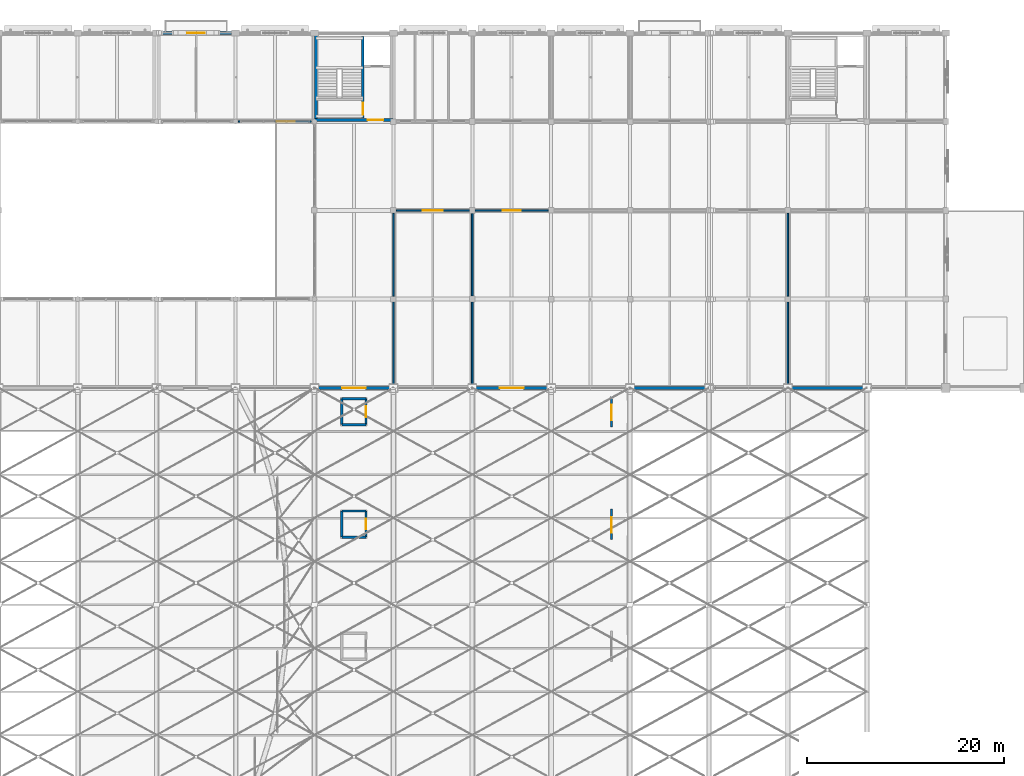
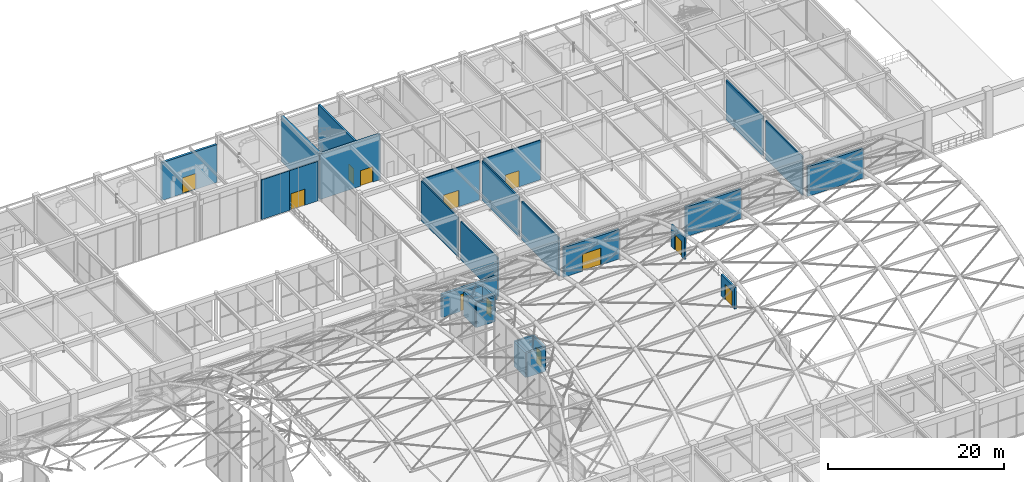
# One storey, part 131 of 163: 28 walls, 12 doors, 12 openings.
"""IFC4 building model written with IfcOpenShell, lengths in metres."""

import ifcopenshell
import ifcopenshell.guid

model = None  # the IFC model being written
_history = None  # IfcOwnerHistory: only IFC2X3 demands one
_inside = {}  # id of a spatial element -> (the spatial element, [elements in it])
_under = {}  # id of a project, library or spatial element -> (it, [spatial elements below it])
_declared = {}  # id of a project -> (the project, [libraries it declares])
_typed = {}  # id of a type object -> (the type object, [elements of that type])
_made_of = {}  # id of a material, layer set ... -> (it, [elements and type objects made of it])


def new_model(schema):
    """Start an empty IFC model of exactly this schema.

    Asked for "IFC4X3", IfcOpenShell would pick the latest addendum, in which some entities
    have other attributes; the version numbers below select the first issue.
    IFC2X3 requires an IfcOwnerHistory on every rooted entity: one is made here for all.
    """
    global model, _history
    if schema == "IFC4X3":
        model = ifcopenshell.file(schema_version=(4, 3, 0, 0))
    else:
        model = ifcopenshell.file(schema=schema)
    _inside.clear()
    _under.clear()
    _declared.clear()
    _typed.clear()
    _made_of.clear()
    _history = None
    if model.schema == "IFC2X3":
        org = make("IfcOrganization", Name="unknown")
        user = make(
            "IfcPersonAndOrganization",
            ThePerson=make("IfcPerson", FamilyName="unknown"),
            TheOrganization=org,
        )
        app = make(
            "IfcApplication",
            ApplicationDeveloper=org,
            Version="unknown",
            ApplicationFullName="unknown",
            ApplicationIdentifier="unknown",
        )
        _history = make(
            "IfcOwnerHistory",
            OwningUser=user,
            OwningApplication=app,
            ChangeAction="ADDED",
            CreationDate=0,
        )
    return model


def make(cls, **values):
    """One entity of the class cls with the attributes given. An attribute that is None is left unset."""
    return model.create_entity(
        cls, **{name: value for name, value in values.items() if value is not None}
    )


def rooted(cls, **values):
    """An entity with a GlobalId (a new one), such as an element, a storey or a relation."""
    return make(cls, GlobalId=ifcopenshell.guid.new(), OwnerHistory=_history, **values)


def si_unit(unit_type, name, prefix=None):
    """IfcSIUnit, for example si_unit("LENGTHUNIT", "METRE", prefix="MILLI")."""
    return make("IfcSIUnit", UnitType=unit_type, Prefix=prefix, Name=name)


def assignment(units):
    """IfcUnitAssignment: the units of a project."""
    return None if units is None else make("IfcUnitAssignment", Units=units)


def point(xyz):
    """IfcCartesianPoint."""
    return None if xyz is None else make("IfcCartesianPoint", Coordinates=xyz)


def direction(xyz):
    """IfcDirection."""
    return None if xyz is None else make("IfcDirection", DirectionRatios=xyz)


def frame(location, z_axis=None, x_axis=None):
    """IfcAxis2Placement3D, a coordinate frame: its origin and axes. An axis left out is left unset."""
    return make(
        "IfcAxis2Placement3D",
        Location=point(location),
        Axis=direction(z_axis),
        RefDirection=direction(x_axis),
    )


def frame_2d(location, x_axis=None):
    """IfcAxis2Placement2D, a coordinate frame in the plane: its origin and x axis."""
    return make(
        "IfcAxis2Placement2D", Location=point(location), RefDirection=direction(x_axis)
    )


def origin():
    """The frame at (0, 0, 0) with its axes left unset."""
    return frame((0.0, 0.0, 0.0))


def place(relative_to, where):
    """IfcLocalPlacement: puts the frame where relative to a parent placement (None: the world)."""
    return make(
        "IfcLocalPlacement", PlacementRelTo=relative_to, RelativePlacement=where
    )


def context(
    kind, dimensions, precision=None, world=None, true_north=None, identifier=None
):
    """IfcGeometricRepresentationContext, for example the 3D "Model" context."""
    return make(
        "IfcGeometricRepresentationContext",
        ContextIdentifier=identifier,
        ContextType=kind,
        CoordinateSpaceDimension=dimensions,
        Precision=precision,
        WorldCoordinateSystem=world,
        TrueNorth=true_north,
    )


def subcontext(parent, identifier, kind, view, scale=None):
    """IfcGeometricRepresentationSubContext, for example "Body" below "Model"."""
    return make(
        "IfcGeometricRepresentationSubContext",
        ContextIdentifier=identifier,
        ContextType=kind,
        ParentContext=parent,
        TargetScale=scale,
        TargetView=view,
    )


def project(units=None, contexts=None):
    """IfcProject with its units and contexts."""
    return rooted(
        "IfcProject",
        Name="project",
        RepresentationContexts=contexts,
        UnitsInContext=assignment(units),
    )


def spatial(cls, under=None, at=None, **own):
    """A site, building, storey or space (cls), placed at a placement, below another one or the project."""
    s = rooted(cls, ObjectPlacement=at, **own)
    if under is not None:
        _under.setdefault(under.id(), (under, []))[1].append(s)
    return s


def profile(cls, at=None, kind="AREA", **sizes):
    """A parametric profile (cls). Its sizes go by their IFC names, for example OverallWidth=200.0."""
    return make(cls, ProfileType=kind, Position=at, **sizes)


def rectangle(**sizes):
    """IfcRectangleProfileDef."""
    return profile("IfcRectangleProfileDef", **sizes)


def extrude(swept, where, along, depth):
    """IfcExtrudedAreaSolid: the profile swept, set in the frame where, extruded along a direction by depth."""
    return make(
        "IfcExtrudedAreaSolid",
        SweptArea=swept,
        Position=where,
        ExtrudedDirection=direction(along),
        Depth=depth,
    )


def shape(context_of_items, identifier, shape_type, items):
    """IfcShapeRepresentation: the items that make up one representation, for example the "Body"."""
    return make(
        "IfcShapeRepresentation",
        ContextOfItems=context_of_items,
        RepresentationIdentifier=identifier,
        RepresentationType=shape_type,
        Items=items,
    )


def material(Name=None, Category=None):
    """IfcMaterial."""
    return make("IfcMaterial", Name=Name, Category=Category)


def layer(
    of_material, thickness, ventilated=None, Name=None, Category=None, Priority=None
):
    """IfcMaterialLayer: one layer of a wall or slab, of a material (None: an air gap)."""
    return make(
        "IfcMaterialLayer",
        Material=of_material,
        LayerThickness=thickness,
        IsVentilated=ventilated,
        Name=Name,
        Category=Category,
        Priority=Priority,
    )


def layer_set(layers, Name=None):
    """IfcMaterialLayerSet."""
    return make("IfcMaterialLayerSet", MaterialLayers=layers, LayerSetName=Name)


def made_of(thing, what):
    """Note that an element or type object is made of a material, layer set ...; save() writes the relation."""
    if what is not None:
        _made_of.setdefault(what.id(), (what, []))[1].append(thing)
    return thing


def type_object(cls, material=None, **own):
    """A type object (cls), such as IfcWallType, which elements share."""
    return made_of(rooted(cls, **own), material)


def element(
    cls,
    number,
    at=None,
    inside=None,
    cuts=None,
    type_object=None,
    material=None,
    context=None,
    identifier="Body",
    shape_type=None,
    held_by="IfcProductDefinitionShape",
    body=None,
    shapes=None,
    **own,
):
    """One element of the class cls, such as IfcWall. Its Tag is "e" and its number.

    at: its placement. inside: the storey or other place that contains it. cuts: it is an
    opening in that element (IfcRelVoidsElement). A single representation is given by context,
    identifier, shape_type and body (its items); several are given by shapes. held_by: the class
    of the entity that holds the representations. save() writes the other relations.
    """
    e = rooted(cls, Tag="e%d" % number, ObjectPlacement=at, **own)
    if body is not None:
        shapes = [shape(context, identifier, shape_type, body)]
    if shapes is not None:
        e.Representation = make(held_by, Representations=shapes)
    if inside is not None:
        _inside.setdefault(inside.id(), (inside, []))[1].append(e)
    if cuts is not None:
        rooted(
            "IfcRelVoidsElement", RelatingBuildingElement=cuts, RelatedOpeningElement=e
        )
    if type_object is not None:
        _typed.setdefault(type_object.id(), (type_object, []))[1].append(e)
    return made_of(e, material)


def fill(opening, filler):
    """IfcRelFillsElement: the door or window that sits in an opening."""
    return rooted(
        "IfcRelFillsElement",
        RelatingOpeningElement=opening,
        RelatedBuildingElement=filler,
    )


def aggregate(whole, parts):
    """IfcRelAggregates: a whole, such as a stair, and the parts it consists of."""
    return rooted("IfcRelAggregates", RelatingObject=whole, RelatedObjects=parts)


def save(model, path):
    """Write the relations noted so far, then the file.

    IfcRelAggregates (storeys below a building ...), IfcRelContainedInSpatialStructure (elements
    in a storey), IfcRelDefinesByType, IfcRelAssociatesMaterial and IfcRelDeclares: one each for
    every whole, place, type object, material and project.
    """
    for whole, parts in _under.values():
        aggregate(whole, parts)
    for where, things in _inside.values():
        rooted(
            "IfcRelContainedInSpatialStructure",
            RelatedElements=things,
            RelatingStructure=where,
        )
    for kind, things in _typed.values():
        rooted("IfcRelDefinesByType", RelatedObjects=things, RelatingType=kind)
    for what, things in _made_of.values():
        rooted("IfcRelAssociatesMaterial", RelatedObjects=things, RelatingMaterial=what)
    for by, libraries in _declared.values():
        rooted("IfcRelDeclares", RelatingContext=by, RelatedDefinitions=libraries)
    model.write(path)


model = new_model("IFC4")

# Units and contexts
model_context = context("Model", 3, precision=1e-05, world=origin(), true_north=direction((0.0, 1.0)))
body_context = subcontext(model_context, "Body", "Model", "MODEL_VIEW")
ifc_project = project(units=[si_unit("LENGTHUNIT", "METRE"), si_unit("AREAUNIT", "SQUARE_METRE"), si_unit("VOLUMEUNIT", "CUBIC_METRE"), si_unit("PLANEANGLEUNIT", "RADIAN"), si_unit("MASSUNIT", "GRAM", prefix="KILO")], contexts=[model_context])

# Site, building, storey
site_placement = place(None, origin())
site = spatial("IfcSite", under=ifc_project, at=site_placement, CompositionType="ELEMENT")
building_placement = place(site_placement, origin())
building = spatial("IfcBuilding", under=site, at=building_placement, Name="Varnabhumi Central Station", CompositionType="ELEMENT")
storey_placement = place(building_placement, frame((0.0, 0.0, 9.60009765625)))
storey = spatial("IfcBuildingStorey", under=building, at=storey_placement, Name="L02", CompositionType="ELEMENT", Elevation=9.60009765625)

# Wall, opening, door
ifc_material_1 = material(Name="Autoclaved aerated blockwork masonry", Category="masonry")
ifc_layer_1 = layer(ifc_material_1, 0.219970703125, Name="Autoclaved aerated blockwork masonry", Category="masonry")
ifc_layer_set_1 = layer_set([ifc_layer_1], Name="Autoclaved aerated blockwork masonry")
wall_type_1 = type_object("IfcWallType", Name="WAL-COMP-AAC-220", PredefinedType="SOLIDWALL", material=ifc_layer_set_1)
wall_1_placement = place(storey_placement, frame((110.10009765625, 64.64990234375, 0.0), z_axis=(0.0, 0.0, 1.0), x_axis=(0.0, 1.0, 0.0)))
wall_1 = element("IfcWall", 1, at=wall_1_placement, inside=storey, type_object=wall_type_1, Name="Platform 3 Concourse Stair Vestibule Wall", PredefinedType="SOLIDWALL", context=body_context, shape_type="SweptSolid", body=[
    extrude(rectangle(XDim=3.10009765625, YDim=0.219970703125, at=frame_2d((1.550048828125, 0.0))), origin(), (0.0, 0.0, 1.0), 3.0),
])
opening_1_placement = place(wall_1_placement, frame((0.64990234375, 0.0, 0.0)))
opening_1 = element("IfcOpeningElement", 2, at=opening_1_placement, cuts=wall_1, Name="Opening FD-60D", PredefinedType="OPENING", context=body_context, shape_type="SweptSolid", body=[
    extrude(rectangle(XDim=1.60009765625, YDim=2.14990234375, at=frame_2d((0.800048828125, 1.074951171875))), frame((0.0, 0.119873046875, 0.0), z_axis=(0.0, -1.0, 0.0), x_axis=(1.0, 0.0, 0.0)), (0.0, 0.0, 1.0), 0.239990234375),
])
ifc_material_2 = material(Name="Intumescent-treated hardwood timber", Category="wood")
door_type_1 = type_object("IfcDoorType", Name="DR-FIRE-60-1600", OperationType="NOTDEFINED", PredefinedType="DOOR", material=ifc_material_2)
door_1_placement = place(opening_1_placement, origin())
door_1 = element("IfcDoor", 3, at=door_1_placement, inside=storey, type_object=door_type_1, Name="Platform 3 Concourse Stair Exit Door", OperationType="DOUBLE_DOOR_SINGLE_SWING", OverallHeight=2.14990234375, OverallWidth=1.60009765625, PredefinedType="DOOR", context=body_context, shape_type="SweptSolid", body=[
    extrude(rectangle(XDim=1.60009765625, YDim=2.14990234375, at=frame_2d((0.800048828125, 1.074951171875))), frame((0.0, 0.02490234375, 0.0), z_axis=(0.0, -1.0, 0.0), x_axis=(1.0, 0.0, 0.0)), (0.0, 0.0, 1.0), 0.050048828125),
])
fill(opening_1, door_1)

wall_2_placement = place(storey_placement, frame((110.10009765625, 76.050048828125, 0.0), z_axis=(0.0, 0.0, 1.0), x_axis=(0.0, 1.0, 0.0)))
wall_2 = element("IfcWall", 4, at=wall_2_placement, inside=storey, type_object=wall_type_1, Name="Platform 4 Concourse Stair Vestibule Wall", PredefinedType="SOLIDWALL", context=body_context, shape_type="SweptSolid", body=[
    extrude(rectangle(XDim=3.099853515625, YDim=0.219970703125, at=frame_2d((1.5498046875, 0.0))), origin(), (0.0, 0.0, 1.0), 3.0),
])
opening_2_placement = place(wall_2_placement, frame((0.64990234375, 0.0, 0.0)))
opening_2 = element("IfcOpeningElement", 5, at=opening_2_placement, cuts=wall_2, Name="Opening FD-60D", PredefinedType="OPENING", context=body_context, shape_type="SweptSolid", body=[
    extrude(rectangle(XDim=1.60009765625, YDim=2.14990234375, at=frame_2d((0.800048828125, 1.074951171875))), frame((0.0, 0.119873046875, 0.0), z_axis=(0.0, -1.0, 0.0), x_axis=(1.0, 0.0, 0.0)), (0.0, 0.0, 1.0), 0.239990234375),
])
door_2_placement = place(opening_2_placement, origin())
door_2 = element("IfcDoor", 6, at=door_2_placement, inside=storey, type_object=door_type_1, Name="Platform 4 Concourse Stair Exit Door", OperationType="DOUBLE_DOOR_SINGLE_SWING", OverallHeight=2.14990234375, OverallWidth=1.60009765625, PredefinedType="DOOR", context=body_context, shape_type="SweptSolid", body=[
    extrude(rectangle(XDim=1.60009765625, YDim=2.14990234375, at=frame_2d((0.800048828125, 1.074951171875))), frame((0.0, 0.02490234375, 0.0), z_axis=(0.0, -1.0, 0.0), x_axis=(1.0, 0.0, 0.0)), (0.0, 0.0, 1.0), 0.050048828125),
])
fill(opening_2, door_2)

# Wall
ifc_material_3 = material(Name="Concrete M40", Category="concrete")
ifc_layer_2 = layer(ifc_material_3, 0.300048828125, Name="Concrete M40", Category="concrete")
ifc_layer_set_2 = layer_set([ifc_layer_2], Name="Concrete M40")
wall_type_2 = type_object("IfcWallType", Name="WAL-CORE-RC-300", PredefinedType="SHEAR", material=ifc_layer_set_2)
wall_3_placement = place(storey_placement, frame((80.179931640625, 107.179931640625, 0.0), z_axis=(0.0, 0.0, 1.0), x_axis=(0.0, 1.0, 0.0)))
element("IfcWall", 7, at=wall_3_placement, inside=storey, type_object=wall_type_2, Name="NC2 L02 West Shear Wall", PredefinedType="SHEAR", context=body_context, shape_type="SweptSolid", body=[
    extrude(rectangle(XDim=8.64013671875, YDim=0.300048828125, at=frame_2d((4.320068359375, 0.0))), origin(), (0.0, 0.0, 1.0), 6.31982421875),
])

# Wall, opening, door
wall_4_placement = place(storey_placement, frame((80.030029296875, 107.179931640625, 0.0), z_axis=(0.0, 0.0, 1.0), x_axis=(1.0, 0.0, 0.0)))
wall_4 = element("IfcWall", 8, at=wall_4_placement, inside=storey, type_object=wall_type_2, Name="NC2 L02 Corridor Shear Wall", PredefinedType="SHEAR", context=body_context, shape_type="SweptSolid", body=[
    extrude(rectangle(XDim=7.93994140625, YDim=0.300048828125, at=frame_2d((3.969970703125, 0.0))), origin(), (0.0, 0.0, 1.0), 6.31982421875),
])
opening_3_placement = place(wall_4_placement, frame((5.35009765625, 0.0, 0.0)))
opening_3 = element("IfcOpeningElement", 9, at=opening_3_placement, cuts=wall_4, Name="Opening FD-60D", PredefinedType="OPENING", context=body_context, shape_type="SweptSolid", body=[
    extrude(rectangle(XDim=1.60009765625, YDim=2.14990234375, at=frame_2d((0.800048828125, 1.074951171875))), frame((0.0, 0.159912109375, 0.0), z_axis=(0.0, -1.0, 0.0), x_axis=(1.0, 0.0, 0.0)), (0.0, 0.0, 1.0), 0.320068359375),
])
door_3_placement = place(opening_3_placement, frame((1.60009765625, 0.0, 0.0), z_axis=(0.0, 0.0, 1.0), x_axis=(-1.0, 0.0, 0.0)))
door_3 = element("IfcDoor", 10, at=door_3_placement, inside=storey, type_object=door_type_1, Name="NC2 L02 Lobby Fire Door", OperationType="DOUBLE_DOOR_SINGLE_SWING", OverallHeight=2.14990234375, OverallWidth=1.60009765625, PredefinedType="DOOR", context=body_context, shape_type="SweptSolid", body=[
    extrude(rectangle(XDim=1.60009765625, YDim=2.14990234375, at=frame_2d((0.800048828125, 1.074951171875))), frame((0.0, 0.02490234375, 0.0), z_axis=(0.0, -1.0, 0.0), x_axis=(1.0, 0.0, 0.0)), (0.0, 0.0, 1.0), 0.050048828125),
])
fill(opening_3, door_3)

ifc_layer_3 = layer(ifc_material_1, 0.300048828125, Name="Autoclaved aerated blockwork masonry", Category="masonry")
ifc_layer_set_3 = layer_set([ifc_layer_3], Name="Autoclaved aerated blockwork masonry")
wall_type_3 = type_object("IfcWallType", Name="WAL-EXT-STUCCO-300", PredefinedType="SOLIDWALL", material=ifc_layer_set_3)
wall_5_placement = place(storey_placement, frame((64.39990234375, 116.0, 0.0), z_axis=(0.0, 0.0, 1.0), x_axis=(1.0, 0.0, 0.0)))
wall_5 = element("IfcWall", 11, at=wall_5_placement, inside=storey, type_object=wall_type_3, Name="North Boulevard Wall L02-6", PredefinedType="SOLIDWALL", context=body_context, shape_type="SweptSolid", body=[
    extrude(rectangle(XDim=7.2001953125, YDim=0.300048828125, at=frame_2d((3.60009765625, 0.0))), origin(), (0.0, 0.0, 1.0), 5.239990234375),
])
opening_4_placement = place(wall_5_placement, frame((2.699951171875, 0.0, 0.0)))
opening_4 = element("IfcOpeningElement", 12, at=opening_4_placement, cuts=wall_5, Name="Opening ED-4", PredefinedType="OPENING", context=body_context, shape_type="SweptSolid", body=[
    extrude(rectangle(XDim=1.800048828125, YDim=2.199951171875, at=frame_2d((0.89990234375, 1.10009765625))), frame((0.0, 0.159912109375, 0.0), z_axis=(0.0, -1.0, 0.0), x_axis=(1.0, 0.0, 0.0)), (0.0, 0.0, 1.0), 0.320068359375),
])
ifc_material_4 = material(Name="Anodised aluminium 6063-T6", Category="aluminium")
door_type_2 = type_object("IfcDoorType", Name="DR-EXT-AZOTEA-1800", OperationType="NOTDEFINED", PredefinedType="DOOR", material=ifc_material_4)
door_4_placement = place(opening_4_placement, origin())
door_4 = element("IfcDoor", 13, at=door_4_placement, inside=storey, type_object=door_type_2, Name="North Boulevard Balcony French Door L02-6", OperationType="DOUBLE_DOOR_SINGLE_SWING", OverallHeight=2.199951171875, OverallWidth=1.800048828125, PredefinedType="DOOR", context=body_context, shape_type="SweptSolid", body=[
    extrude(rectangle(XDim=1.800048828125, YDim=2.199951171875, at=frame_2d((0.89990234375, 1.10009765625))), frame((0.0, 0.02490234375, 0.0), z_axis=(0.0, -1.0, 0.0), x_axis=(1.0, 0.0, 0.0)), (0.0, 0.0, 1.0), 0.050048828125),
])
fill(opening_4, door_4)

wall_6_placement = place(storey_placement, frame((80.344970703125, 80.0, 0.0), z_axis=(0.0, 0.0, 1.0), x_axis=(1.0, 0.0, 0.0)))
wall_6 = element("IfcWall", 14, at=wall_6_placement, inside=storey, type_object=wall_type_3, Name="North Spine Wall L02-8", PredefinedType="SOLIDWALL", context=body_context, shape_type="SweptSolid", body=[
    extrude(rectangle(XDim=7.31005859375, YDim=0.300048828125, at=frame_2d((3.655029296875, 0.0))), origin(), (0.0, 0.0, 1.0), 3.219970703125),
])
opening_5_placement = place(wall_6_placement, frame((2.455078125, 0.0, 0.0)))
opening_5 = element("IfcOpeningElement", 15, at=opening_5_placement, cuts=wall_6, Name="Opening ED-1", PredefinedType="OPENING", context=body_context, shape_type="SweptSolid", body=[
    extrude(rectangle(XDim=2.39990234375, YDim=2.35009765625, at=frame_2d((1.199951171875, 1.175048828125))), frame((0.0, 0.159912109375, 0.0), z_axis=(0.0, -1.0, 0.0), x_axis=(1.0, 0.0, 0.0)), (0.0, 0.0, 1.0), 0.320068359375),
])
door_type_3 = type_object("IfcDoorType", Name="DR-EXT-PORTAL-2400", OperationType="NOTDEFINED", PredefinedType="DOOR", material=ifc_material_4)
door_5_placement = place(opening_5_placement, frame((2.39990234375, 0.0, 0.0), z_axis=(0.0, 0.0, 1.0), x_axis=(-1.0, 0.0, 0.0)))
door_5 = element("IfcDoor", 16, at=door_5_placement, inside=storey, type_object=door_type_3, Name="North Spine Portal Door L02-8", OperationType="DOUBLE_DOOR_SINGLE_SWING", OverallHeight=2.35009765625, OverallWidth=2.39990234375, PredefinedType="DOOR", context=body_context, shape_type="SweptSolid", body=[
    extrude(rectangle(XDim=2.39990234375, YDim=2.35009765625, at=frame_2d((1.199951171875, 1.175048828125))), frame((0.0, 0.02490234375, 0.0), z_axis=(0.0, -1.0, 0.0), x_axis=(1.0, 0.0, 0.0)), (0.0, 0.0, 1.0), 0.050048828125),
])
fill(opening_5, door_5)

wall_7_placement = place(storey_placement, frame((96.344970703125, 80.0, 0.0), z_axis=(0.0, 0.0, 1.0), x_axis=(1.0, 0.0, 0.0)))
wall_7 = element("IfcWall", 17, at=wall_7_placement, inside=storey, type_object=wall_type_3, Name="North Spine Wall L02-10", PredefinedType="SOLIDWALL", context=body_context, shape_type="SweptSolid", body=[
    extrude(rectangle(XDim=7.31005859375, YDim=0.300048828125, at=frame_2d((3.655029296875, 0.0))), origin(), (0.0, 0.0, 1.0), 4.119873046875),
])
opening_6_placement = place(wall_7_placement, frame((2.455078125, 0.0, 0.0)))
opening_6 = element("IfcOpeningElement", 18, at=opening_6_placement, cuts=wall_7, Name="Opening ED-1", PredefinedType="OPENING", context=body_context, shape_type="SweptSolid", body=[
    extrude(rectangle(XDim=2.39990234375, YDim=2.35009765625, at=frame_2d((1.199951171875, 1.175048828125))), frame((0.0, 0.159912109375, 0.0), z_axis=(0.0, -1.0, 0.0), x_axis=(1.0, 0.0, 0.0)), (0.0, 0.0, 1.0), 0.320068359375),
])
door_6_placement = place(opening_6_placement, frame((2.39990234375, 0.0, 0.0), z_axis=(0.0, 0.0, 1.0), x_axis=(-1.0, 0.0, 0.0)))
door_6 = element("IfcDoor", 19, at=door_6_placement, inside=storey, type_object=door_type_3, Name="North Spine Portal Door L02-10", OperationType="DOUBLE_DOOR_SINGLE_SWING", OverallHeight=2.35009765625, OverallWidth=2.39990234375, PredefinedType="DOOR", context=body_context, shape_type="SweptSolid", body=[
    extrude(rectangle(XDim=2.39990234375, YDim=2.35009765625, at=frame_2d((1.199951171875, 1.175048828125))), frame((0.0, 0.02490234375, 0.0), z_axis=(0.0, -1.0, 0.0), x_axis=(1.0, 0.0, 0.0)), (0.0, 0.0, 1.0), 0.050048828125),
])
fill(opening_6, door_6)

# Walls
for number, where, z_axis, x_axis, name in (
    (20, (112.344970703125, 80.0, 0.0), (0.0, 0.0, 1.0), (1.0, 0.0, 0.0), "North Spine Wall L02-12"),
    (21, (128.344970703125, 80.0, 0.0), (0.0, 0.0, 1.0), (1.0, 0.0, 0.0), "North Spine Wall L02-14"),
):
    element("IfcWall", number, at=place(storey_placement, frame(where, z_axis=z_axis, x_axis=x_axis)), inside=storey, type_object=wall_type_3, Name=name, PredefinedType="SOLIDWALL", context=body_context, shape_type="SweptSolid", body=[
        extrude(rectangle(XDim=7.31005859375, YDim=0.300048828125, at=frame_2d((3.655029296875, 0.0))), origin(), (0.0, 0.0, 1.0), 4.119873046875),
    ])
ifc_layer_4 = layer(ifc_material_1, 0.159912109375, Name="Autoclaved aerated blockwork masonry", Category="masonry")
ifc_layer_set_4 = layer_set([ifc_layer_4], Name="Autoclaved aerated blockwork masonry")
wall_type_4 = type_object("IfcWallType", Name="WAL-PART-AAC-160", PredefinedType="PARTITIONING", material=ifc_layer_set_4)
wall_8_placement = place(storey_placement, frame((72.300048828125, 107.0, 0.0), z_axis=(0.0, 0.0, 1.0), x_axis=(1.0, 0.0, 0.0)))
element("IfcWall", 22, at=wall_8_placement, inside=storey, type_object=wall_type_4, Name="Ladies' Waiting Lounge Corridor Partition 4", PredefinedType="PARTITIONING", context=body_context, shape_type="SweptSolid", body=[
    extrude(rectangle(XDim=3.699951171875, YDim=0.159912109375, at=frame_2d((1.85009765625, 0.0))), origin(), (0.0, 0.0, 1.0), 5.5),
])

# Wall, opening, door
wall_9_placement = place(storey_placement, frame((76.0, 107.0, 0.0), z_axis=(0.0, 0.0, 1.0), x_axis=(1.0, 0.0, 0.0)))
wall_9 = element("IfcWall", 23, at=wall_9_placement, inside=storey, type_object=wall_type_4, Name="Ladies' Waiting Lounge Corridor Partition 5", PredefinedType="PARTITIONING", context=body_context, shape_type="SweptSolid", body=[
    extrude(rectangle(XDim=3.699951171875, YDim=0.159912109375, at=frame_2d((1.85009765625, 0.0))), origin(), (0.0, 0.0, 1.0), 5.5),
])
opening_7_placement = place(wall_9_placement, frame((0.199951171875, 0.0, 0.0)))
opening_7 = element("IfcOpeningElement", 24, at=opening_7_placement, cuts=wall_9, Name="Opening D-02", PredefinedType="OPENING", context=body_context, shape_type="SweptSolid", body=[
    extrude(rectangle(XDim=1.800048828125, YDim=2.25, at=frame_2d((0.89990234375, 1.125))), frame((0.0, 0.08984375, 0.0), z_axis=(0.0, -1.0, 0.0), x_axis=(1.0, 0.0, 0.0)), (0.0, 0.0, 1.0), 0.179931640625),
])
door_type_4 = type_object("IfcDoorType", Name="DR-LOUNGE-1800", OperationType="NOTDEFINED", PredefinedType="DOOR", material=ifc_material_4)
door_7_placement = place(opening_7_placement, frame((1.800048828125, 0.0, 0.0), z_axis=(0.0, 0.0, 1.0), x_axis=(-1.0, 0.0, 0.0)))
door_7 = element("IfcDoor", 25, at=door_7_placement, inside=storey, type_object=door_type_4, Name="Ladies' Waiting Lounge Door 5", OperationType="DOUBLE_DOOR_SINGLE_SWING", OverallHeight=2.25, OverallWidth=1.800048828125, PredefinedType="DOOR", context=body_context, shape_type="SweptSolid", body=[
    extrude(rectangle(XDim=1.800048828125, YDim=2.25, at=frame_2d((0.89990234375, 1.125))), frame((0.0, 0.02490234375, 0.0), z_axis=(0.0, -1.0, 0.0), x_axis=(1.0, 0.0, 0.0)), (0.0, 0.0, 1.0), 0.050048828125),
])
fill(opening_7, door_7)

wall_10_placement = place(storey_placement, frame((88.300048828125, 98.0, 0.0), z_axis=(0.0, 0.0, 1.0), x_axis=(1.0, 0.0, 0.0)))
wall_10 = element("IfcWall", 26, at=wall_10_placement, inside=storey, type_object=wall_type_4, Name="Rail Tourism Information Suite Corridor Partition 1", PredefinedType="PARTITIONING", context=body_context, shape_type="SweptSolid", body=[
    extrude(rectangle(XDim=7.39990234375, YDim=0.159912109375, at=frame_2d((3.699951171875, 0.0))), origin(), (0.0, 0.0, 1.0), 5.5),
])
opening_8_placement = place(wall_10_placement, frame((2.699951171875, 0.0, 0.0)))
opening_8 = element("IfcOpeningElement", 27, at=opening_8_placement, cuts=wall_10, Name="Opening D-03", PredefinedType="OPENING", context=body_context, shape_type="SweptSolid", body=[
    extrude(rectangle(XDim=2.0, YDim=2.300048828125, at=frame_2d((1.0, 1.14990234375))), frame((0.0, 0.08984375, 0.0), z_axis=(0.0, -1.0, 0.0), x_axis=(1.0, 0.0, 0.0)), (0.0, 0.0, 1.0), 0.179931640625),
])
door_type_5 = type_object("IfcDoorType", Name="DR-SHOP-2000", OperationType="NOTDEFINED", PredefinedType="DOOR", material=ifc_material_4)
door_8_placement = place(opening_8_placement, origin())
door_8 = element("IfcDoor", 28, at=door_8_placement, inside=storey, type_object=door_type_5, Name="Rail Tourism Information Suite Door 1", OperationType="DOUBLE_DOOR_SINGLE_SWING", OverallHeight=2.300048828125, OverallWidth=2.0, PredefinedType="DOOR", context=body_context, shape_type="SweptSolid", body=[
    extrude(rectangle(XDim=2.0, YDim=2.300048828125, at=frame_2d((1.0, 1.14990234375))), frame((0.0, 0.02490234375, 0.0), z_axis=(0.0, -1.0, 0.0), x_axis=(1.0, 0.0, 0.0)), (0.0, 0.0, 1.0), 0.050048828125),
])
fill(opening_8, door_8)

# Walls
wall_11_placement = place(storey_placement, frame((88.0, 80.300048828125, 0.0), z_axis=(0.0, 0.0, 1.0), x_axis=(0.0, 1.0, 0.0)))
element("IfcWall", 29, at=wall_11_placement, inside=storey, type_object=wall_type_4, Name="Rail Tourism Information Suite E Partition 1", PredefinedType="PARTITIONING", context=body_context, shape_type="SweptSolid", body=[
    extrude(rectangle(XDim=8.39990234375, YDim=0.159912109375, at=frame_2d((4.199951171875, 0.0))), origin(), (0.0, 0.0, 1.0), 5.35986328125),
])
wall_12_placement = place(storey_placement, frame((88.0, 89.300048828125, 0.0), z_axis=(0.0, 0.0, 1.0), x_axis=(0.0, 1.0, 0.0)))
element("IfcWall", 30, at=wall_12_placement, inside=storey, type_object=wall_type_4, Name="Rail Tourism Information Suite E Partition 2", PredefinedType="PARTITIONING", context=body_context, shape_type="SweptSolid", body=[
    extrude(rectangle(XDim=8.39990234375, YDim=0.159912109375, at=frame_2d((4.199951171875, 0.0))), origin(), (0.0, 0.0, 1.0), 5.5),
])
wall_13_placement = place(storey_placement, frame((96.0, 80.300048828125, 0.0), z_axis=(0.0, 0.0, 1.0), x_axis=(0.0, 1.0, 0.0)))
element("IfcWall", 31, at=wall_13_placement, inside=storey, type_object=wall_type_4, Name="Rail Tourism Information Suite W Partition 1", PredefinedType="PARTITIONING", context=body_context, shape_type="SweptSolid", body=[
    extrude(rectangle(XDim=8.39990234375, YDim=0.159912109375, at=frame_2d((4.199951171875, 0.0))), origin(), (0.0, 0.0, 1.0), 5.35986328125),
])
wall_14_placement = place(storey_placement, frame((96.0, 89.300048828125, 0.0), z_axis=(0.0, 0.0, 1.0), x_axis=(0.0, 1.0, 0.0)))
element("IfcWall", 32, at=wall_14_placement, inside=storey, type_object=wall_type_4, Name="Rail Tourism Information Suite W Partition 2", PredefinedType="PARTITIONING", context=body_context, shape_type="SweptSolid", body=[
    extrude(rectangle(XDim=8.39990234375, YDim=0.159912109375, at=frame_2d((4.199951171875, 0.0))), origin(), (0.0, 0.0, 1.0), 5.5),
])

# Wall, opening, door
wall_15_placement = place(storey_placement, frame((96.300048828125, 98.0, 0.0), z_axis=(0.0, 0.0, 1.0), x_axis=(1.0, 0.0, 0.0)))
wall_15 = element("IfcWall", 33, at=wall_15_placement, inside=storey, type_object=wall_type_4, Name="Departure Food Court and Tea Pavilion Corridor Partition 1", PredefinedType="PARTITIONING", context=body_context, shape_type="SweptSolid", body=[
    extrude(rectangle(XDim=7.39990234375, YDim=0.159912109375, at=frame_2d((3.699951171875, 0.0))), origin(), (0.0, 0.0, 1.0), 5.5),
])
opening_9_placement = place(wall_15_placement, frame((2.800048828125, 0.0, 0.0)))
opening_9 = element("IfcOpeningElement", 34, at=opening_9_placement, cuts=wall_15, Name="Opening D-02", PredefinedType="OPENING", context=body_context, shape_type="SweptSolid", body=[
    extrude(rectangle(XDim=1.800048828125, YDim=2.25, at=frame_2d((0.89990234375, 1.125))), frame((0.0, 0.08984375, 0.0), z_axis=(0.0, -1.0, 0.0), x_axis=(1.0, 0.0, 0.0)), (0.0, 0.0, 1.0), 0.179931640625),
])
door_9_placement = place(opening_9_placement, origin())
door_9 = element("IfcDoor", 35, at=door_9_placement, inside=storey, type_object=door_type_4, Name="Departure Food Court and Tea Pavilion Door 1", OperationType="DOUBLE_DOOR_SINGLE_SWING", OverallHeight=2.25, OverallWidth=1.800048828125, PredefinedType="DOOR", context=body_context, shape_type="SweptSolid", body=[
    extrude(rectangle(XDim=1.800048828125, YDim=2.25, at=frame_2d((0.89990234375, 1.125))), frame((0.0, 0.02490234375, 0.0), z_axis=(0.0, -1.0, 0.0), x_axis=(1.0, 0.0, 0.0)), (0.0, 0.0, 1.0), 0.050048828125),
])
fill(opening_9, door_9)

# Walls
wall_16_placement = place(storey_placement, frame((128.0, 80.300048828125, 0.0), z_axis=(0.0, 0.0, 1.0), x_axis=(0.0, 1.0, 0.0)))
element("IfcWall", 36, at=wall_16_placement, inside=storey, type_object=wall_type_4, Name="Departure Food Court and Tea Pavilion W Partition 1", PredefinedType="PARTITIONING", context=body_context, shape_type="SweptSolid", body=[
    extrude(rectangle(XDim=8.39990234375, YDim=0.159912109375, at=frame_2d((4.199951171875, 0.0))), origin(), (0.0, 0.0, 1.0), 5.35986328125),
])
wall_17_placement = place(storey_placement, frame((128.0, 89.300048828125, 0.0), z_axis=(0.0, 0.0, 1.0), x_axis=(0.0, 1.0, 0.0)))
element("IfcWall", 37, at=wall_17_placement, inside=storey, type_object=wall_type_4, Name="Departure Food Court and Tea Pavilion W Partition 2", PredefinedType="PARTITIONING", context=body_context, shape_type="SweptSolid", body=[
    extrude(rectangle(XDim=8.39990234375, YDim=0.159912109375, at=frame_2d((4.199951171875, 0.0))), origin(), (0.0, 0.0, 1.0), 5.5),
])

# Wall, opening, door
ifc_layer_5 = layer(ifc_material_3, 0.239990234375, Name="Concrete M40", Category="concrete")
ifc_layer_set_5 = layer_set([ifc_layer_5], Name="Concrete M40")
wall_type_5 = type_object("IfcWallType", Name="WAL-SHAFT-RC-240", PredefinedType="SHEAR", material=ifc_layer_set_5)
wall_18_placement = place(storey_placement, frame((84.89990234375, 107.35009765625, 0.0), z_axis=(0.0, 0.0, 1.0), x_axis=(0.0, 1.0, 0.0)))
wall_18 = element("IfcWall", 38, at=wall_18_placement, inside=storey, type_object=wall_type_5, Name="NC2 L02 Stair-Lobby Divider Wall", PredefinedType="SHEAR", context=body_context, shape_type="SweptSolid", body=[
    extrude(rectangle(XDim=8.2998046875, YDim=0.239990234375, at=frame_2d((4.14990234375, 0.0))), origin(), (0.0, 0.0, 1.0), 6.31982421875),
])
opening_10_placement = place(wall_18_placement, frame((0.35009765625, 0.0, 0.0)))
opening_10 = element("IfcOpeningElement", 39, at=opening_10_placement, cuts=wall_18, Name="Opening FD-120", PredefinedType="OPENING", context=body_context, shape_type="SweptSolid", body=[
    extrude(rectangle(XDim=1.199951171875, YDim=2.14990234375, at=frame_2d((0.60009765625, 1.074951171875))), frame((0.0, 0.1298828125, 0.0), z_axis=(0.0, -1.0, 0.0), x_axis=(1.0, 0.0, 0.0)), (0.0, 0.0, 1.0), 0.260009765625),
])
ifc_material_5 = material(Name="Stainless steel Grade 316", Category="steel")
door_type_6 = type_object("IfcDoorType", Name="DR-FIRE-120-1200", OperationType="NOTDEFINED", PredefinedType="DOOR", material=ifc_material_5)
door_10_placement = place(opening_10_placement, frame((1.199951171875, 0.0, 0.0), z_axis=(0.0, 0.0, 1.0), x_axis=(-1.0, 0.0, 0.0)))
door_10 = element("IfcDoor", 40, at=door_10_placement, inside=storey, type_object=door_type_6, Name="ST-N2 L02 Fire Door", OperationType="SINGLE_SWING_LEFT", OverallHeight=2.14990234375, OverallWidth=1.199951171875, PredefinedType="DOOR", context=body_context, shape_type="SweptSolid", body=[
    extrude(rectangle(XDim=1.199951171875, YDim=2.14990234375, at=frame_2d((0.60009765625, 1.074951171875))), frame((0.0, 0.02490234375, 0.0), z_axis=(0.0, -1.0, 0.0), x_axis=(1.0, 0.0, 0.0)), (0.0, 0.0, 1.0), 0.050048828125),
])
fill(opening_10, door_10)

# Walls
wall_19_placement = place(storey_placement, frame((82.780029296875, 64.8798828125, 0.0), z_axis=(0.0, 0.0, 1.0), x_axis=(0.0, 1.0, 0.0)))
element("IfcWall", 41, at=wall_19_placement, inside=storey, type_object=wall_type_5, Name="PL-3 L02 Shaft West Wall", PredefinedType="SHEAR", context=body_context, shape_type="SweptSolid", body=[
    extrude(rectangle(XDim=2.64013671875, YDim=0.239990234375, at=frame_2d((1.320068359375, 0.0))), origin(), (0.0, 0.0, 1.0), 3.39990234375),
])
for number, where, z_axis, x_axis, name in (
    (42, (82.780029296875, 64.8798828125, 0.0), (0.0, 0.0, 1.0), (1.0, 0.0, 0.0), "PL-3 L02 Shaft South Wall"),
    (43, (82.780029296875, 67.52001953125, 0.0), (0.0, 0.0, 1.0), (1.0, 0.0, 0.0), "PL-3 L02 Shaft North Wall"),
):
    element("IfcWall", number, at=place(storey_placement, frame(where, z_axis=z_axis, x_axis=x_axis)), inside=storey, type_object=wall_type_5, Name=name, PredefinedType="SHEAR", context=body_context, shape_type="SweptSolid", body=[
        extrude(rectangle(XDim=2.43994140625, YDim=0.239990234375, at=frame_2d((1.219970703125, 0.0))), origin(), (0.0, 0.0, 1.0), 3.39990234375),
    ])

# Wall, opening, door
wall_20_placement = place(storey_placement, frame((85.219970703125, 64.8798828125, 0.0), z_axis=(0.0, 0.0, 1.0), x_axis=(0.0, 1.0, 0.0)))
wall_20 = element("IfcWall", 44, at=wall_20_placement, inside=storey, type_object=wall_type_5, Name="PL-3 L02 Shaft Front Wall", PredefinedType="SHEAR", context=body_context, shape_type="SweptSolid", body=[
    extrude(rectangle(XDim=2.64013671875, YDim=0.239990234375, at=frame_2d((1.320068359375, 0.0))), origin(), (0.0, 0.0, 1.0), 3.39990234375),
])
opening_11_placement = place(wall_20_placement, frame((0.77001953125, 0.0, 0.0)))
opening_11 = element("IfcOpeningElement", 45, at=opening_11_placement, cuts=wall_20, Name="Opening LD-PL-3", PredefinedType="OPENING", context=body_context, shape_type="SweptSolid", body=[
    extrude(rectangle(XDim=1.10009765625, YDim=2.14990234375, at=frame_2d((0.550048828125, 1.074951171875))), frame((0.0, 0.1298828125, 0.0), z_axis=(0.0, -1.0, 0.0), x_axis=(1.0, 0.0, 0.0)), (0.0, 0.0, 1.0), 0.260009765625),
])
door_type_7 = type_object("IfcDoorType", Name="DR-LIFT-PASS-1100", OperationType="NOTDEFINED", PredefinedType="DOOR", material=ifc_material_5)
door_11_placement = place(opening_11_placement, origin())
door_11 = element("IfcDoor", 46, at=door_11_placement, inside=storey, type_object=door_type_7, Name="Lift Landing Door PL-3 L02", OperationType="DOUBLE_DOOR_SLIDING", OverallHeight=2.14990234375, OverallWidth=1.10009765625, PredefinedType="DOOR", context=body_context, shape_type="SweptSolid", body=[
    extrude(rectangle(XDim=1.10009765625, YDim=2.14990234375, at=frame_2d((0.550048828125, 1.074951171875))), frame((0.0, 0.02490234375, 0.0), z_axis=(0.0, -1.0, 0.0), x_axis=(1.0, 0.0, 0.0)), (0.0, 0.0, 1.0), 0.050048828125),
])
fill(opening_11, door_11)

# Walls
wall_21_placement = place(storey_placement, frame((82.780029296875, 76.280029296875, 0.0), z_axis=(0.0, 0.0, 1.0), x_axis=(0.0, 1.0, 0.0)))
element("IfcWall", 47, at=wall_21_placement, inside=storey, type_object=wall_type_5, Name="PL-4 L02 Shaft West Wall", PredefinedType="SHEAR", context=body_context, shape_type="SweptSolid", body=[
    extrude(rectangle(XDim=2.639892578125, YDim=0.239990234375, at=frame_2d((1.31982421875, 0.0))), origin(), (0.0, 0.0, 1.0), 3.39990234375),
])
for number, where, z_axis, x_axis, name in (
    (48, (82.780029296875, 76.280029296875, 0.0), (0.0, 0.0, 1.0), (1.0, 0.0, 0.0), "PL-4 L02 Shaft South Wall"),
    (49, (82.780029296875, 78.919921875, 0.0), (0.0, 0.0, 1.0), (1.0, 0.0, 0.0), "PL-4 L02 Shaft North Wall"),
):
    element("IfcWall", number, at=place(storey_placement, frame(where, z_axis=z_axis, x_axis=x_axis)), inside=storey, type_object=wall_type_5, Name=name, PredefinedType="SHEAR", context=body_context, shape_type="SweptSolid", body=[
        extrude(rectangle(XDim=2.43994140625, YDim=0.239990234375, at=frame_2d((1.219970703125, 0.0))), origin(), (0.0, 0.0, 1.0), 3.39990234375),
    ])

# Wall, opening, door
wall_22_placement = place(storey_placement, frame((85.219970703125, 76.280029296875, 0.0), z_axis=(0.0, 0.0, 1.0), x_axis=(0.0, 1.0, 0.0)))
wall_22 = element("IfcWall", 50, at=wall_22_placement, inside=storey, type_object=wall_type_5, Name="PL-4 L02 Shaft Front Wall", PredefinedType="SHEAR", context=body_context, shape_type="SweptSolid", body=[
    extrude(rectangle(XDim=2.639892578125, YDim=0.239990234375, at=frame_2d((1.31982421875, 0.0))), origin(), (0.0, 0.0, 1.0), 3.39990234375),
])
opening_12_placement = place(wall_22_placement, frame((0.77001953125, 0.0, 0.0)))
opening_12 = element("IfcOpeningElement", 51, at=opening_12_placement, cuts=wall_22, Name="Opening LD-PL-4", PredefinedType="OPENING", context=body_context, shape_type="SweptSolid", body=[
    extrude(rectangle(XDim=1.10009765625, YDim=2.14990234375, at=frame_2d((0.550048828125, 1.074951171875))), frame((0.0, 0.1298828125, 0.0), z_axis=(0.0, -1.0, 0.0), x_axis=(1.0, 0.0, 0.0)), (0.0, 0.0, 1.0), 0.260009765625),
])
door_12_placement = place(opening_12_placement, origin())
door_12 = element("IfcDoor", 52, at=door_12_placement, inside=storey, type_object=door_type_7, Name="Lift Landing Door PL-4 L02", OperationType="DOUBLE_DOOR_SLIDING", OverallHeight=2.14990234375, OverallWidth=1.10009765625, PredefinedType="DOOR", context=body_context, shape_type="SweptSolid", body=[
    extrude(rectangle(XDim=1.10009765625, YDim=2.14990234375, at=frame_2d((0.550048828125, 1.074951171875))), frame((0.0, 0.02490234375, 0.0), z_axis=(0.0, -1.0, 0.0), x_axis=(1.0, 0.0, 0.0)), (0.0, 0.0, 1.0), 0.050048828125),
])
fill(opening_12, door_12)

save(model, "model.ifc")
